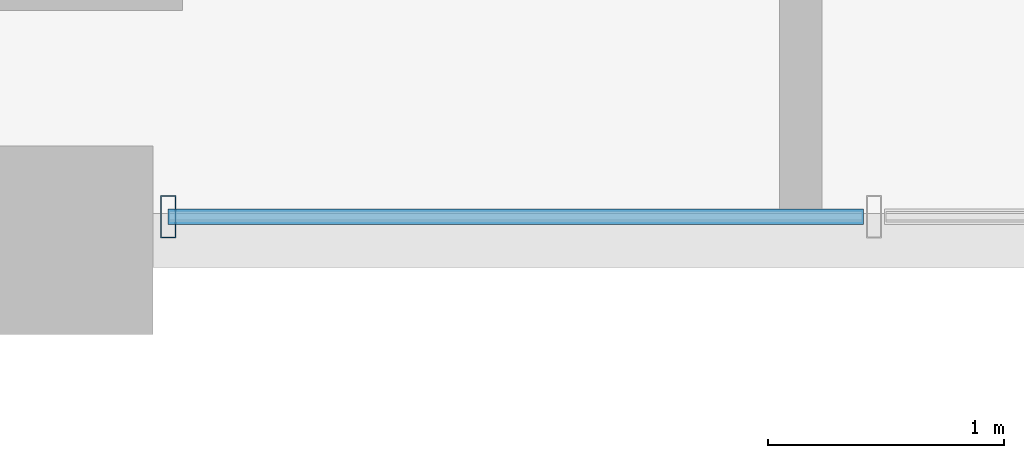
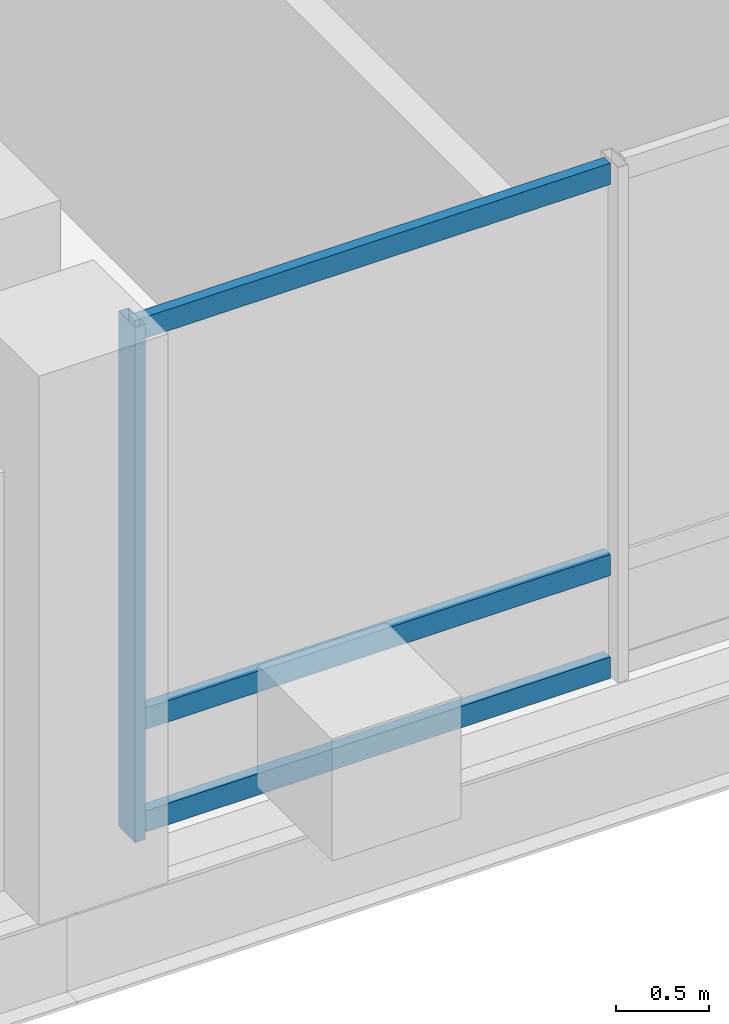
# One storey, part 2 of 24: 4 members, 1 element without a shape of its own.
"""IFC4 building model written with IfcOpenShell, lengths in metres."""

import ifcopenshell
import ifcopenshell.guid

model = None  # the IFC model being written
_history = None  # IfcOwnerHistory: only IFC2X3 demands one
_inside = {}  # id of a spatial element -> (the spatial element, [elements in it])
_under = {}  # id of a project, library or spatial element -> (it, [spatial elements below it])
_declared = {}  # id of a project -> (the project, [libraries it declares])
_typed = {}  # id of a type object -> (the type object, [elements of that type])
_made_of = {}  # id of a material, layer set ... -> (it, [elements and type objects made of it])


def new_model(schema):
    """Start an empty IFC model of exactly this schema.

    Asked for "IFC4X3", IfcOpenShell would pick the latest addendum, in which some entities
    have other attributes; the version numbers below select the first issue.
    IFC2X3 requires an IfcOwnerHistory on every rooted entity: one is made here for all.
    """
    global model, _history
    if schema == "IFC4X3":
        model = ifcopenshell.file(schema_version=(4, 3, 0, 0))
    else:
        model = ifcopenshell.file(schema=schema)
    _inside.clear()
    _under.clear()
    _declared.clear()
    _typed.clear()
    _made_of.clear()
    _history = None
    if model.schema == "IFC2X3":
        org = make("IfcOrganization", Name="unknown")
        user = make(
            "IfcPersonAndOrganization",
            ThePerson=make("IfcPerson", FamilyName="unknown"),
            TheOrganization=org,
        )
        app = make(
            "IfcApplication",
            ApplicationDeveloper=org,
            Version="unknown",
            ApplicationFullName="unknown",
            ApplicationIdentifier="unknown",
        )
        _history = make(
            "IfcOwnerHistory",
            OwningUser=user,
            OwningApplication=app,
            ChangeAction="ADDED",
            CreationDate=0,
        )
    return model


def make(cls, **values):
    """One entity of the class cls with the attributes given. An attribute that is None is left unset."""
    return model.create_entity(
        cls, **{name: value for name, value in values.items() if value is not None}
    )


def rooted(cls, **values):
    """An entity with a GlobalId (a new one), such as an element, a storey or a relation."""
    return make(cls, GlobalId=ifcopenshell.guid.new(), OwnerHistory=_history, **values)


def si_unit(unit_type, name, prefix=None):
    """IfcSIUnit, for example si_unit("LENGTHUNIT", "METRE", prefix="MILLI")."""
    return make("IfcSIUnit", UnitType=unit_type, Prefix=prefix, Name=name)


def assignment(units):
    """IfcUnitAssignment: the units of a project."""
    return None if units is None else make("IfcUnitAssignment", Units=units)


def point(xyz):
    """IfcCartesianPoint."""
    return None if xyz is None else make("IfcCartesianPoint", Coordinates=xyz)


def direction(xyz):
    """IfcDirection."""
    return None if xyz is None else make("IfcDirection", DirectionRatios=xyz)


def frame(location, z_axis=None, x_axis=None):
    """IfcAxis2Placement3D, a coordinate frame: its origin and axes. An axis left out is left unset."""
    return make(
        "IfcAxis2Placement3D",
        Location=point(location),
        Axis=direction(z_axis),
        RefDirection=direction(x_axis),
    )


def frame_2d(location, x_axis=None):
    """IfcAxis2Placement2D, a coordinate frame in the plane: its origin and x axis."""
    return make(
        "IfcAxis2Placement2D", Location=point(location), RefDirection=direction(x_axis)
    )


def origin():
    """The frame at (0, 0, 0) with its axes left unset."""
    return frame((0.0, 0.0, 0.0))


def origin_2d():
    """The frame at (0, 0) in the plane with its x axis left unset."""
    return frame_2d((0.0, 0.0))


def place(relative_to, where):
    """IfcLocalPlacement: puts the frame where relative to a parent placement (None: the world)."""
    return make(
        "IfcLocalPlacement", PlacementRelTo=relative_to, RelativePlacement=where
    )


def context(
    kind, dimensions, precision=None, world=None, true_north=None, identifier=None
):
    """IfcGeometricRepresentationContext, for example the 3D "Model" context."""
    return make(
        "IfcGeometricRepresentationContext",
        ContextIdentifier=identifier,
        ContextType=kind,
        CoordinateSpaceDimension=dimensions,
        Precision=precision,
        WorldCoordinateSystem=world,
        TrueNorth=true_north,
    )


def subcontext(parent, identifier, kind, view, scale=None):
    """IfcGeometricRepresentationSubContext, for example "Body" below "Model"."""
    return make(
        "IfcGeometricRepresentationSubContext",
        ContextIdentifier=identifier,
        ContextType=kind,
        ParentContext=parent,
        TargetScale=scale,
        TargetView=view,
    )


def project(units=None, contexts=None):
    """IfcProject with its units and contexts."""
    return rooted(
        "IfcProject",
        Name="project",
        RepresentationContexts=contexts,
        UnitsInContext=assignment(units),
    )


def spatial(cls, under=None, at=None, **own):
    """A site, building, storey or space (cls), placed at a placement, below another one or the project."""
    s = rooted(cls, ObjectPlacement=at, **own)
    if under is not None:
        _under.setdefault(under.id(), (under, []))[1].append(s)
    return s


def profile(cls, at=None, kind="AREA", **sizes):
    """A parametric profile (cls). Its sizes go by their IFC names, for example OverallWidth=200.0."""
    return make(cls, ProfileType=kind, Position=at, **sizes)


def hollow_rectangle(**sizes):
    """IfcRectangleHollowProfileDef."""
    return profile("IfcRectangleHollowProfileDef", **sizes)


def extrude(swept, where, along, depth):
    """IfcExtrudedAreaSolid: the profile swept, set in the frame where, extruded along a direction by depth."""
    return make(
        "IfcExtrudedAreaSolid",
        SweptArea=swept,
        Position=where,
        ExtrudedDirection=direction(along),
        Depth=depth,
    )


def shape(context_of_items, identifier, shape_type, items):
    """IfcShapeRepresentation: the items that make up one representation, for example the "Body"."""
    return make(
        "IfcShapeRepresentation",
        ContextOfItems=context_of_items,
        RepresentationIdentifier=identifier,
        RepresentationType=shape_type,
        Items=items,
    )


def material(Name=None, Category=None):
    """IfcMaterial."""
    return make("IfcMaterial", Name=Name, Category=Category)


def layer(
    of_material, thickness, ventilated=None, Name=None, Category=None, Priority=None
):
    """IfcMaterialLayer: one layer of a wall or slab, of a material (None: an air gap)."""
    return make(
        "IfcMaterialLayer",
        Material=of_material,
        LayerThickness=thickness,
        IsVentilated=ventilated,
        Name=Name,
        Category=Category,
        Priority=Priority,
    )


def layer_set(layers, Name=None):
    """IfcMaterialLayerSet."""
    return make("IfcMaterialLayerSet", MaterialLayers=layers, LayerSetName=Name)


def material_profile(
    of_material, cross_section, Name=None, Category=None, Priority=None
):
    """IfcMaterialProfile: a cross section and its material."""
    return make(
        "IfcMaterialProfile",
        Name=Name,
        Material=of_material,
        Profile=cross_section,
        Priority=Priority,
        Category=Category,
    )


def profile_set(profiles, Name=None, composite=None):
    """IfcMaterialProfileSet."""
    return make(
        "IfcMaterialProfileSet",
        Name=Name,
        MaterialProfiles=profiles,
        CompositeProfile=composite,
    )


def made_of(thing, what):
    """Note that an element or type object is made of a material, layer set ...; save() writes the relation."""
    if what is not None:
        _made_of.setdefault(what.id(), (what, []))[1].append(thing)
    return thing


def type_object(cls, material=None, **own):
    """A type object (cls), such as IfcWallType, which elements share."""
    return made_of(rooted(cls, **own), material)


def element(
    cls,
    number,
    at=None,
    inside=None,
    cuts=None,
    type_object=None,
    material=None,
    context=None,
    identifier="Body",
    shape_type=None,
    held_by="IfcProductDefinitionShape",
    body=None,
    shapes=None,
    **own,
):
    """One element of the class cls, such as IfcWall. Its Tag is "e" and its number.

    at: its placement. inside: the storey or other place that contains it. cuts: it is an
    opening in that element (IfcRelVoidsElement). A single representation is given by context,
    identifier, shape_type and body (its items); several are given by shapes. held_by: the class
    of the entity that holds the representations. save() writes the other relations.
    """
    e = rooted(cls, Tag="e%d" % number, ObjectPlacement=at, **own)
    if body is not None:
        shapes = [shape(context, identifier, shape_type, body)]
    if shapes is not None:
        e.Representation = make(held_by, Representations=shapes)
    if inside is not None:
        _inside.setdefault(inside.id(), (inside, []))[1].append(e)
    if cuts is not None:
        rooted(
            "IfcRelVoidsElement", RelatingBuildingElement=cuts, RelatedOpeningElement=e
        )
    if type_object is not None:
        _typed.setdefault(type_object.id(), (type_object, []))[1].append(e)
    return made_of(e, material)


def aggregate(whole, parts):
    """IfcRelAggregates: a whole, such as a stair, and the parts it consists of."""
    return rooted("IfcRelAggregates", RelatingObject=whole, RelatedObjects=parts)


def save(model, path):
    """Write the relations noted so far, then the file.

    IfcRelAggregates (storeys below a building ...), IfcRelContainedInSpatialStructure (elements
    in a storey), IfcRelDefinesByType, IfcRelAssociatesMaterial and IfcRelDeclares: one each for
    every whole, place, type object, material and project.
    """
    for whole, parts in _under.values():
        aggregate(whole, parts)
    for where, things in _inside.values():
        rooted(
            "IfcRelContainedInSpatialStructure",
            RelatedElements=things,
            RelatingStructure=where,
        )
    for kind, things in _typed.values():
        rooted("IfcRelDefinesByType", RelatedObjects=things, RelatingType=kind)
    for what, things in _made_of.values():
        rooted("IfcRelAssociatesMaterial", RelatedObjects=things, RelatingMaterial=what)
    for by, libraries in _declared.values():
        rooted("IfcRelDeclares", RelatingContext=by, RelatedDefinitions=libraries)
    model.write(path)


model = new_model("IFC4")

# Units and contexts
model_context = context("Model", 3, precision=1e-05, world=origin(), true_north=direction((0.0, 1.0)))
body_context = subcontext(model_context, "Body", "Model", "MODEL_VIEW")
ifc_project = project(units=[si_unit("LENGTHUNIT", "METRE"), si_unit("AREAUNIT", "SQUARE_METRE"), si_unit("VOLUMEUNIT", "CUBIC_METRE"), si_unit("PLANEANGLEUNIT", "RADIAN"), si_unit("MASSUNIT", "GRAM", prefix="KILO")], contexts=[model_context])

# Site, building, storey
site_placement = place(None, origin())
site = spatial("IfcSite", under=ifc_project, at=site_placement, CompositionType="ELEMENT")
building_placement = place(site_placement, origin())
building = spatial("IfcBuilding", under=site, at=building_placement, Name="Barlavira Tower and Art Museum", CompositionType="ELEMENT")
storey_placement = place(building_placement, frame((0.0, 0.0, 180.0)))
storey = spatial("IfcBuildingStorey", under=building, at=storey_placement, Name="L46", CompositionType="ELEMENT", Elevation=180.0)

# Curtain wall, members
ifc_material_1 = material(Name="Low-iron coastal laminated glass", Category="glass")
ifc_layer = layer(ifc_material_1, 0.199951171875, Name="Low-iron coastal laminated glass")
ifc_layer_set = layer_set([ifc_layer], Name="Low-iron coastal laminated glass")
curtain_wall_type = type_object("IfcCurtainWallType", Name="Pale-Metal Unitised Curtain Wall Zone 3", PredefinedType="NOTDEFINED", material=ifc_layer_set)
curtain_wall_placement = place(storey_placement, origin())
curtain_wall = element("IfcCurtainWall", 1, at=curtain_wall_placement, inside=storey, type_object=curtain_wall_type, Name="L46 Curtain Wall CW3-L46-S-B3", PredefinedType="NOTDEFINED")
ifc_material_2 = material(Name="Pale anodised aluminium", Category="aluminium")
ifc_material_profile_1 = material_profile(ifc_material_2, hollow_rectangle(XDim=0.06494140625, YDim=0.179931640625, WallThickness=0.00390625, at=origin_2d()), Name="ALU-MULL 65x180x4")
ifc_profile_set_1 = profile_set([ifc_material_profile_1], Name="Pale anodised aluminium")
member_type_1 = type_object("IfcMemberType", Name="Curtain Wall Pale-Metal Mullion 65x180", PredefinedType="MULLION", material=ifc_profile_set_1)
member_1_placement = place(storey_placement, frame((-6.034912109375, -21.39990234375, 0.0), z_axis=(0.0, 0.0, 1.0), x_axis=(1.0, 0.0, 0.0)))
member_1 = element("IfcMember", 2, at=member_1_placement, type_object=member_type_1, Name="CW3-L46-S-B3 Mullion 0", PredefinedType="MULLION", context=body_context, shape_type="SweptSolid", body=[
    extrude(hollow_rectangle(XDim=0.06494140625, YDim=0.179931640625, WallThickness=0.00390625, at=origin_2d()), origin(), (0.0, 0.0, 1.0), 3.3798828125),
])
ifc_material_profile_2 = material_profile(ifc_material_2, hollow_rectangle(XDim=0.06494140625, YDim=0.139892578125, WallThickness=0.00390625, at=origin_2d()), Name="ALU-TRAN 65x140x4")
ifc_profile_set_2 = profile_set([ifc_material_profile_2], Name="Pale anodised aluminium")
member_type_2 = type_object("IfcMemberType", Name="Curtain Wall Pale-Metal Transom 65x140", PredefinedType="USERDEFINED", material=ifc_profile_set_2)
member_2_placement = place(storey_placement, frame((-6.034912109375, -21.39990234375, 0.070068359375), z_axis=(1.0, 0.0, 0.0), x_axis=(0.0, 1.0, 0.0)))
member_2 = element("IfcMember", 3, at=member_2_placement, type_object=member_type_2, Name="CW3-L46-S-B3 Transom 0.1", ObjectType="TRANSOM", PredefinedType="USERDEFINED", context=body_context, shape_type="SweptSolid", body=[
    extrude(hollow_rectangle(XDim=0.06494140625, YDim=0.139892578125, WallThickness=0.00390625, at=origin_2d()), origin(), (0.0, 0.0, 1.0), 2.949951171875),
])
member_3_placement = place(storey_placement, frame((-6.034912109375, -21.39990234375, 0.743896484375), z_axis=(1.0, 0.0, 0.0), x_axis=(0.0, 1.0, 0.0)))
member_3 = element("IfcMember", 4, at=member_3_placement, type_object=member_type_2, Name="CW3-L46-S-B3 Transom 0.2", ObjectType="TRANSOM", PredefinedType="USERDEFINED", context=body_context, shape_type="SweptSolid", body=[
    extrude(hollow_rectangle(XDim=0.06494140625, YDim=0.139892578125, WallThickness=0.00390625, at=origin_2d()), origin(), (0.0, 0.0, 1.0), 2.949951171875),
])
member_4_placement = place(storey_placement, frame((-6.034912109375, -21.39990234375, 3.31005859375), z_axis=(1.0, 0.0, 0.0), x_axis=(0.0, 1.0, 0.0)))
member_4 = element("IfcMember", 5, at=member_4_placement, type_object=member_type_2, Name="CW3-L46-S-B3 Transom 0.3", ObjectType="TRANSOM", PredefinedType="USERDEFINED", context=body_context, shape_type="SweptSolid", body=[
    extrude(hollow_rectangle(XDim=0.06494140625, YDim=0.139892578125, WallThickness=0.00390625, at=origin_2d()), origin(), (0.0, 0.0, 1.0), 2.949951171875),
])
aggregate(curtain_wall, [member_1, member_2, member_3, member_4])

save(model, "model.ifc")
